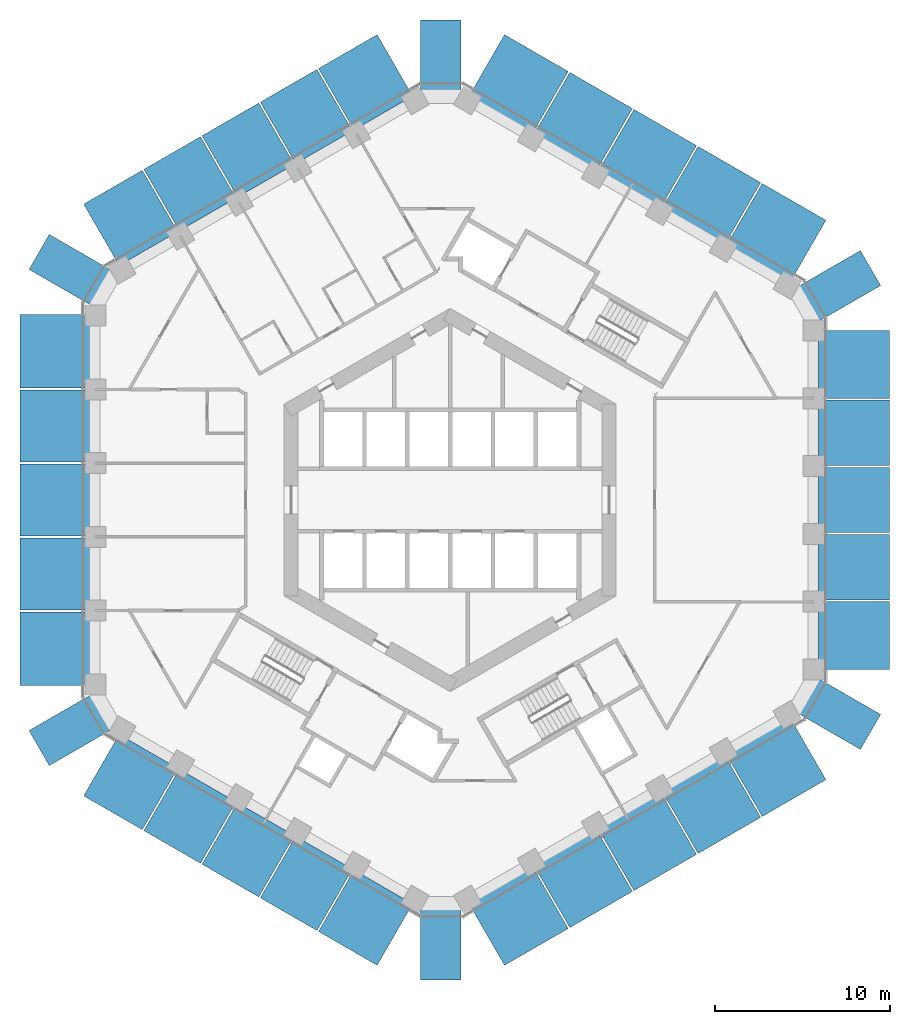
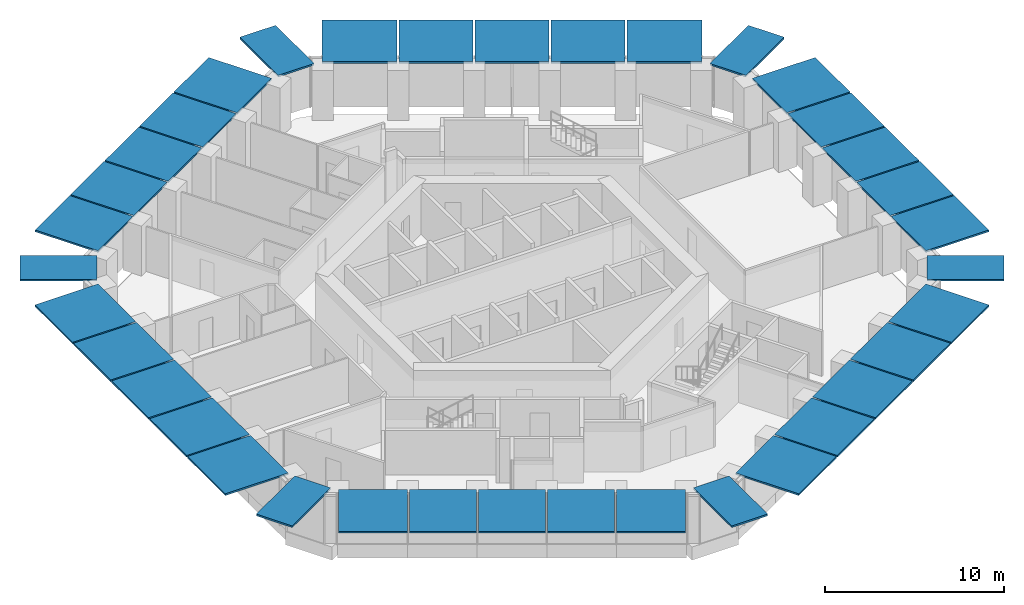
# One storey, part 15 of 19: 36 discrete accessories.
"""IFC4 building model written with IfcOpenShell, lengths in metres."""

from ifc_helpers import new_model, si_unit, direction, frame, origin, origin_2d, place, context, subcontext, project, spatial, rectangle, extrude, material, layer, layer_set, type_object, element, save


model = new_model("IFC4")

# Units and contexts
model_context = context("Model", 3, precision=1e-05, world=origin(), true_north=direction((0.0, 1.0)))
body_context = subcontext(model_context, "Body", "Model", "MODEL_VIEW")
ifc_project = project(units=[si_unit("LENGTHUNIT", "METRE"), si_unit("AREAUNIT", "SQUARE_METRE"), si_unit("VOLUMEUNIT", "CUBIC_METRE"), si_unit("PLANEANGLEUNIT", "RADIAN"), si_unit("MASSUNIT", "GRAM", prefix="KILO")], contexts=[model_context])

# Site, building, storey
site_placement = place(None, origin())
site = spatial("IfcSite", under=ifc_project, at=site_placement, CompositionType="ELEMENT")
building_placement = place(site_placement, origin())
building = spatial("IfcBuilding", under=site, at=building_placement, Name="Ayvan Gate Tower", CompositionType="ELEMENT")
storey_placement = place(building_placement, frame((0.0, 0.0, 52.699951171875)))
storey = spatial("IfcBuildingStorey", under=building, at=storey_placement, Name="L13", CompositionType="ELEMENT", Elevation=52.699951171875)

# Discrete accessories
ifc_material = material(Name="Stainless steel 316", Category="steel")
ifc_layer = layer(ifc_material, 0.1201171875)
ifc_layer_set = layer_set([ifc_layer], Name="Stainless steel 316")
discrete_accessory_type = type_object("IfcDiscreteAccessoryType", Name="Fin carrier bracket", PredefinedType="BRACKET", material=ifc_layer_set)
discrete_accessory_1_placement = place(storey_placement, frame((-22.58056640625, -8.512451171875, 3.280029296875), z_axis=(0.0, 0.0, 1.0), x_axis=(0.0, -1.0, 0.0)))
element("IfcDiscreteAccessory", 1, at=discrete_accessory_1_placement, inside=storey, type_object=discrete_accessory_type, Name="Fin carrier 13", PredefinedType="BRACKET", context=body_context, shape_type="SweptSolid", body=[
    extrude(rectangle(XDim=4.2119140625, YDim=4.060302734375, at=origin_2d()), origin(), (0.0, 0.0, 1.0), 0.1201171875),
])
discrete_accessory_2_placement = place(storey_placement, frame((-22.58056640625, -4.237548828125, 3.280029296875), z_axis=(0.0, 0.0, 1.0), x_axis=(0.0, -1.0, 0.0)))
element("IfcDiscreteAccessory", 2, at=discrete_accessory_2_placement, inside=storey, type_object=discrete_accessory_type, Name="Fin carrier 19", PredefinedType="BRACKET", context=body_context, shape_type="SweptSolid", body=[
    extrude(rectangle(XDim=4.137939453125, YDim=4.060302734375, at=origin_2d()), origin(), (0.0, 0.0, 1.0), 0.1201171875),
])
discrete_accessory_3_placement = place(storey_placement, frame((-22.58056640625, 0.0, 3.280029296875), z_axis=(0.0, 0.0, 1.0), x_axis=(0.0, -1.0, 0.0)))
element("IfcDiscreteAccessory", 3, at=discrete_accessory_3_placement, inside=storey, type_object=discrete_accessory_type, Name="Fin carrier 21", PredefinedType="BRACKET", context=body_context, shape_type="SweptSolid", body=[
    extrude(rectangle(XDim=4.136962890625, YDim=4.060302734375, at=origin_2d()), origin(), (0.0, 0.0, 1.0), 0.1201171875),
])
discrete_accessory_4_placement = place(storey_placement, frame((-22.58056640625, 4.237548828125, 3.280029296875), z_axis=(0.0, 0.0, 1.0), x_axis=(0.0, -1.0, 0.0)))
element("IfcDiscreteAccessory", 4, at=discrete_accessory_4_placement, inside=storey, type_object=discrete_accessory_type, Name="Fin carrier 25", PredefinedType="BRACKET", context=body_context, shape_type="SweptSolid", body=[
    extrude(rectangle(XDim=4.137939453125, YDim=4.060302734375, at=origin_2d()), origin(), (0.0, 0.0, 1.0), 0.1201171875),
])
discrete_accessory_5_placement = place(storey_placement, frame((-22.58056640625, 8.512451171875, 3.280029296875), z_axis=(0.0, 0.0, 1.0), x_axis=(0.0, -1.0, 0.0)))
element("IfcDiscreteAccessory", 5, at=discrete_accessory_5_placement, inside=storey, type_object=discrete_accessory_type, Name="Fin carrier 29", PredefinedType="BRACKET", context=body_context, shape_type="SweptSolid", body=[
    extrude(rectangle(XDim=4.2119140625, YDim=4.060302734375, at=origin_2d()), origin(), (0.0, 0.0, 1.0), 0.1201171875),
])
for number, where, z_axis, x_axis, name in (
    (6, (-21.658447265625, -13.121337890625, 3.280029296875), (0.0, 0.0, 1.0), (0.5, -0.866025403784, 0.0), "Fin carrier 34"),
    (7, (-21.658447265625, 13.121337890625, 3.280029296875), (0.0, 0.0, 1.0), (-0.5, -0.866025403784, 0.0), "Fin carrier 38"),
):
    element("IfcDiscreteAccessory", number, at=place(storey_placement, frame(where, z_axis=z_axis, x_axis=x_axis)), inside=storey, type_object=discrete_accessory_type, Name=name, PredefinedType="BRACKET", context=body_context, shape_type="SweptSolid", body=[
        extrude(rectangle(XDim=2.314453125, YDim=4.29150390625, at=origin_2d()), origin(), (0.0, 0.0, 1.0), 0.1201171875),
    ])
discrete_accessory_6_placement = place(storey_placement, frame((-18.275146484375, -16.1396484375, 3.280029296875), z_axis=(0.0, 0.0, 1.0), x_axis=(0.866025403784, -0.5, 0.0)))
element("IfcDiscreteAccessory", 8, at=discrete_accessory_6_placement, inside=storey, type_object=discrete_accessory_type, Name="Fin carrier 136", PredefinedType="BRACKET", context=body_context, shape_type="SweptSolid", body=[
    extrude(rectangle(XDim=3.873046875, YDim=4.060302734375, at=origin_2d()), origin(), (0.0, 0.0, 1.0), 0.1201171875),
])
discrete_accessory_7_placement = place(storey_placement, frame((-18.275146484375, 16.139404296875, 3.280029296875), z_axis=(0.0, 0.0, 1.0), x_axis=(-0.866025403784, -0.5, 0.0)))
element("IfcDiscreteAccessory", 9, at=discrete_accessory_7_placement, inside=storey, type_object=discrete_accessory_type, Name="Fin carrier 146", PredefinedType="BRACKET", context=body_context, shape_type="SweptSolid", body=[
    extrude(rectangle(XDim=3.872802734375, YDim=4.060302734375, at=origin_2d()), origin(), (0.0, 0.0, 1.0), 0.1201171875),
])
for number, where, z_axis, x_axis, name in (
    (10, (-14.888916015625, -18.094482421875, 3.280029296875), (0.0, 0.0, 1.0), (0.866025403784, -0.5, 0.0), "Fin carrier 256"),
    (11, (-14.88916015625, 18.094482421875, 3.280029296875), (0.0, 0.0, 1.0), (-0.866025403784, -0.5, 0.0), "Fin carrier 262"),
    (12, (-11.557373046875, -20.01806640625, 3.280029296875), (0.0, 0.0, 1.0), (0.866025403784, -0.5, 0.0), "Fin carrier 318"),
    (13, (-11.5576171875, 20.017822265625, 3.280029296875), (0.0, 0.0, 1.0), (-0.866025403784, -0.5, 0.0), "Fin carrier 324"),
    (14, (-8.2255859375, -21.941650390625, 3.280029296875), (0.0, 0.0, 1.0), (0.866025403784, -0.5, 0.0), "Fin carrier 379"),
    (15, (-8.225830078125, 21.94140625, 3.280029296875), (0.0, 0.0, 1.0), (-0.866025403784, -0.5, 0.0), "Fin carrier 384"),
):
    element("IfcDiscreteAccessory", number, at=place(storey_placement, frame(where, z_axis=z_axis, x_axis=x_axis)), inside=storey, type_object=discrete_accessory_type, Name=name, PredefinedType="BRACKET", context=body_context, shape_type="SweptSolid", body=[
        extrude(rectangle(XDim=3.7470703125, YDim=4.060302734375, at=origin_2d()), origin(), (0.0, 0.0, 1.0), 0.1201171875),
    ])
discrete_accessory_8_placement = place(storey_placement, frame((-4.839599609375, -23.896484375, 3.280029296875), z_axis=(0.0, 0.0, 1.0), x_axis=(0.866025403784, -0.5, 0.0)))
element("IfcDiscreteAccessory", 16, at=discrete_accessory_8_placement, inside=storey, type_object=discrete_accessory_type, Name="Fin carrier 444", PredefinedType="BRACKET", context=body_context, shape_type="SweptSolid", body=[
    extrude(rectangle(XDim=3.872802734375, YDim=4.060302734375, at=origin_2d()), origin(), (0.0, 0.0, 1.0), 0.1201171875),
])
discrete_accessory_9_placement = place(storey_placement, frame((-4.83984375, 23.896484375, 3.280029296875), z_axis=(0.0, 0.0, 1.0), x_axis=(-0.866025403784, -0.5, 0.0)))
element("IfcDiscreteAccessory", 17, at=discrete_accessory_9_placement, inside=storey, type_object=discrete_accessory_type, Name="Fin carrier 461", PredefinedType="BRACKET", context=body_context, shape_type="SweptSolid", body=[
    extrude(rectangle(XDim=3.873046875, YDim=4.060302734375, at=origin_2d()), origin(), (0.0, 0.0, 1.0), 0.1201171875),
])
for number, where, z_axis, x_axis, name in (
    (18, (-0.5341796875, -25.3173828125, 3.280029296875), (0.0, 0.0, 1.0), (1.0, 0.0, 0.0), "Fin carrier 512"),
    (19, (-0.5341796875, 25.3173828125, 3.280029296875), (0.0, 0.0, 1.0), (-1.0, 0.0, 0.0), "Fin carrier 524"),
):
    element("IfcDiscreteAccessory", number, at=place(storey_placement, frame(where, z_axis=z_axis, x_axis=x_axis)), inside=storey, type_object=discrete_accessory_type, Name=name, PredefinedType="BRACKET", context=body_context, shape_type="SweptSolid", body=[
        extrude(rectangle(XDim=2.314453125, YDim=4.29150390625, at=origin_2d()), origin(), (0.0, 0.0, 1.0), 0.1201171875),
    ])
for number, where, z_axis, x_axis, name in (
    (20, (3.918212890625, -23.811767578125, 3.280029296875), (0.0, 0.0, 1.0), (0.866025403784, 0.5, 0.0), "Fin carrier 569"),
    (21, (3.918212890625, 23.811767578125, 3.280029296875), (0.0, 0.0, 1.0), (-0.866025403784, 0.5, 0.0), "Fin carrier 587"),
):
    element("IfcDiscreteAccessory", number, at=place(storey_placement, frame(where, z_axis=z_axis, x_axis=x_axis)), inside=storey, type_object=discrete_accessory_type, Name=name, PredefinedType="BRACKET", context=body_context, shape_type="SweptSolid", body=[
        extrude(rectangle(XDim=4.2119140625, YDim=4.060302734375, at=origin_2d()), origin(), (0.0, 0.0, 1.0), 0.1201171875),
    ])
for number, where, z_axis, x_axis, name in (
    (22, (7.62060546875, -21.674072265625, 3.280029296875), (0.0, 0.0, 1.0), (0.866025403784, 0.5, 0.0), "Fin carrier 654"),
    (23, (7.62060546875, 21.67431640625, 3.280029296875), (0.0, 0.0, 1.0), (-0.866025403784, 0.5, 0.0), "Fin carrier 660"),
):
    element("IfcDiscreteAccessory", number, at=place(storey_placement, frame(where, z_axis=z_axis, x_axis=x_axis)), inside=storey, type_object=discrete_accessory_type, Name=name, PredefinedType="BRACKET", context=body_context, shape_type="SweptSolid", body=[
        extrude(rectangle(XDim=4.137939453125, YDim=4.060302734375, at=origin_2d()), origin(), (0.0, 0.0, 1.0), 0.1201171875),
    ])
for number, where, z_axis, x_axis, name in (
    (24, (11.290283203125, -19.555419921875, 3.280029296875), (0.0, 0.0, 1.0), (0.866025403784, 0.5, 0.0), "Fin carrier 714"),
    (25, (11.290283203125, 19.555419921875, 3.280029296875), (0.0, 0.0, 1.0), (-0.866025403784, 0.5, 0.0), "Fin carrier 715"),
):
    element("IfcDiscreteAccessory", number, at=place(storey_placement, frame(where, z_axis=z_axis, x_axis=x_axis)), inside=storey, type_object=discrete_accessory_type, Name=name, PredefinedType="BRACKET", context=body_context, shape_type="SweptSolid", body=[
        extrude(rectangle(XDim=4.136962890625, YDim=4.060302734375, at=origin_2d()), origin(), (0.0, 0.0, 1.0), 0.1201171875),
    ])
for number, where, z_axis, x_axis, name in (
    (26, (14.960205078125, -17.436767578125, 3.280029296875), (0.0, 0.0, 1.0), (0.866025403784, 0.5, 0.0), "Fin carrier 772"),
    (27, (14.960205078125, 17.436767578125, 3.280029296875), (0.0, 0.0, 1.0), (-0.866025403784, 0.5, 0.0), "Fin carrier 775"),
):
    element("IfcDiscreteAccessory", number, at=place(storey_placement, frame(where, z_axis=z_axis, x_axis=x_axis)), inside=storey, type_object=discrete_accessory_type, Name=name, PredefinedType="BRACKET", context=body_context, shape_type="SweptSolid", body=[
        extrude(rectangle(XDim=4.137939453125, YDim=4.060302734375, at=origin_2d()), origin(), (0.0, 0.0, 1.0), 0.1201171875),
    ])
for number, where, z_axis, x_axis, name in (
    (28, (18.662353515625, -15.299072265625, 3.280029296875), (0.0, 0.0, 1.0), (0.866025403784, 0.5, 0.0), "Fin carrier 893"),
    (29, (18.662353515625, 15.29931640625, 3.280029296875), (0.0, 0.0, 1.0), (-0.866025403784, 0.5, 0.0), "Fin carrier 909"),
):
    element("IfcDiscreteAccessory", number, at=place(storey_placement, frame(where, z_axis=z_axis, x_axis=x_axis)), inside=storey, type_object=discrete_accessory_type, Name=name, PredefinedType="BRACKET", context=body_context, shape_type="SweptSolid", body=[
        extrude(rectangle(XDim=4.2119140625, YDim=4.060302734375, at=origin_2d()), origin(), (0.0, 0.0, 1.0), 0.1201171875),
    ])
for number, where, z_axis, x_axis, name in (
    (30, (22.192626953125, -12.1962890625, 3.280029296875), (0.0, 0.0, 1.0), (0.5, 0.866025403784, 0.0), "Fin carrier 992"),
    (31, (22.192626953125, 12.1962890625, 3.280029296875), (0.0, 0.0, 1.0), (-0.5, 0.866025403784, 0.0), "Fin carrier 996"),
):
    element("IfcDiscreteAccessory", number, at=place(storey_placement, frame(where, z_axis=z_axis, x_axis=x_axis)), inside=storey, type_object=discrete_accessory_type, Name=name, PredefinedType="BRACKET", context=body_context, shape_type="SweptSolid", body=[
        extrude(rectangle(XDim=2.314453125, YDim=4.29150390625, at=origin_2d()), origin(), (0.0, 0.0, 1.0), 0.1201171875),
    ])
discrete_accessory_10_placement = place(storey_placement, frame((23.11474609375, -7.7568359375, 3.280029296875), z_axis=(0.0, 0.0, 1.0), x_axis=(0.0, 1.0, 0.0)))
element("IfcDiscreteAccessory", 32, at=discrete_accessory_10_placement, inside=storey, type_object=discrete_accessory_type, Name="Fin carrier 1002", PredefinedType="BRACKET", context=body_context, shape_type="SweptSolid", body=[
    extrude(rectangle(XDim=3.873046875, YDim=4.060302734375, at=origin_2d()), origin(), (0.0, 0.0, 1.0), 0.1201171875),
])
for number, where, z_axis, x_axis, name in (
    (33, (23.11474609375, -3.846923828125, 3.280029296875), (0.0, 0.0, 1.0), (0.0, 1.0, 0.0), "Fin carrier 1008"),
    (34, (23.11474609375, 0.000244140625, 3.280029296875), (0.0, 0.0, 1.0), (0.0, 1.0, 0.0), "Fin carrier 1014"),
    (35, (23.11474609375, 3.84716796875, 3.280029296875), (0.0, 0.0, 1.0), (0.0, 1.0, 0.0), "Fin carrier 1021"),
):
    element("IfcDiscreteAccessory", number, at=place(storey_placement, frame(where, z_axis=z_axis, x_axis=x_axis)), inside=storey, type_object=discrete_accessory_type, Name=name, PredefinedType="BRACKET", context=body_context, shape_type="SweptSolid", body=[
        extrude(rectangle(XDim=3.7470703125, YDim=4.060302734375, at=origin_2d()), origin(), (0.0, 0.0, 1.0), 0.1201171875),
    ])
discrete_accessory_11_placement = place(storey_placement, frame((23.11474609375, 7.757080078125, 3.280029296875), z_axis=(0.0, 0.0, 1.0), x_axis=(0.0, 1.0, 0.0)))
element("IfcDiscreteAccessory", 36, at=discrete_accessory_11_placement, inside=storey, type_object=discrete_accessory_type, Name="Fin carrier 1028", PredefinedType="BRACKET", context=body_context, shape_type="SweptSolid", body=[
    extrude(rectangle(XDim=3.872802734375, YDim=4.060302734375, at=origin_2d()), origin(), (0.0, 0.0, 1.0), 0.1201171875),
])

save(model, "model.ifc")
